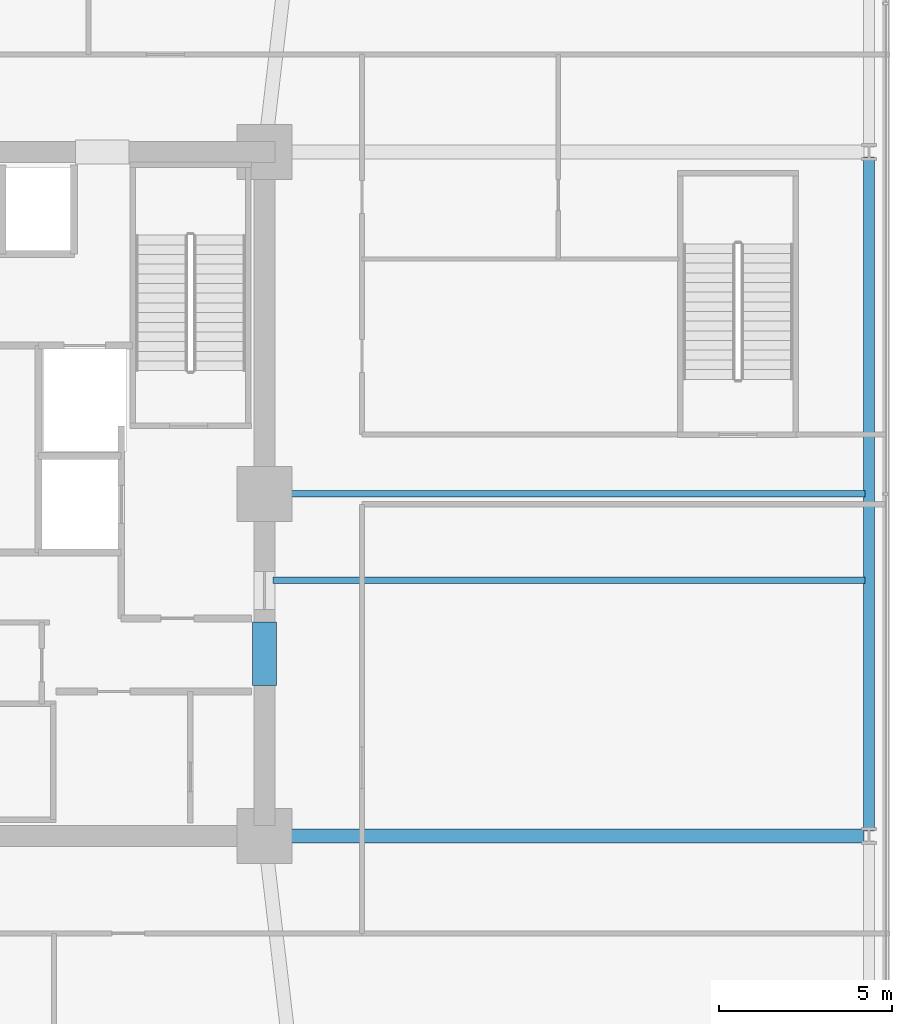
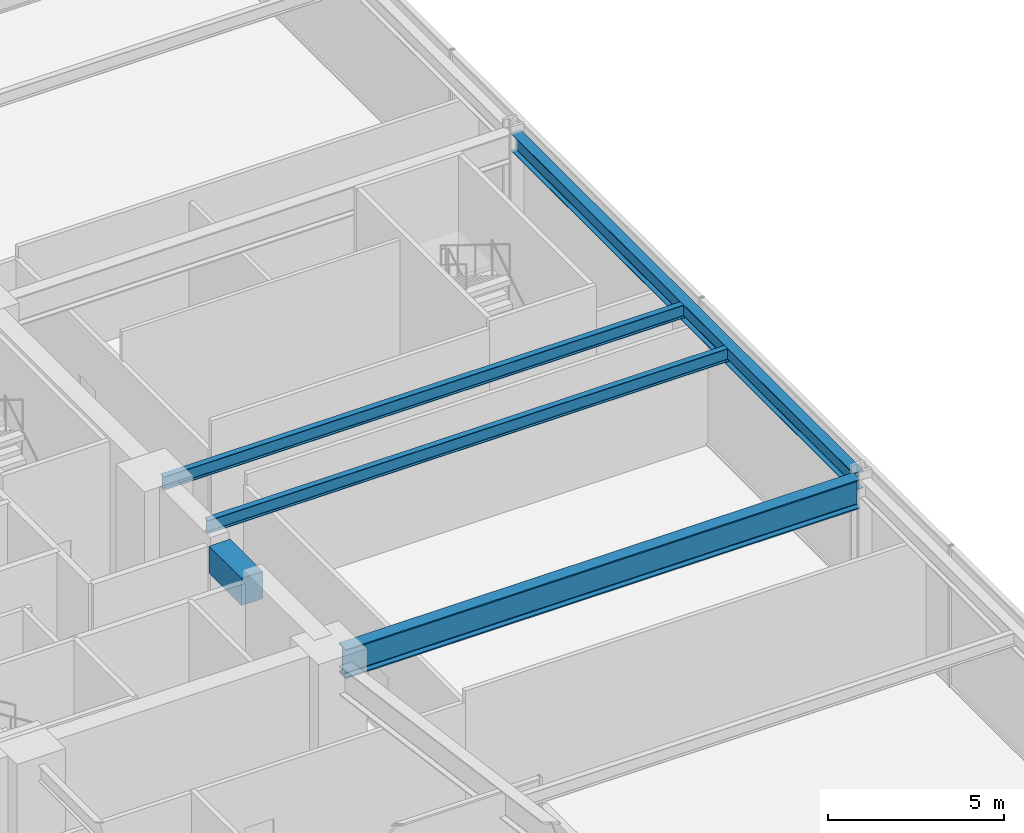
# One storey, part 25 of 49: 5 beams.
"""IFC4 building model written with IfcOpenShell, lengths in metres."""

from ifc_helpers import new_model, si_unit, direction, frame, origin, origin_2d, place, context, subcontext, project, spatial, rectangle, i_section, extrude, material, material_profile, profile_set, type_object, element, save


model = new_model("IFC4")

# Units and contexts
model_context = context("Model", 3, precision=1e-05, world=origin(), true_north=direction((0.0, 1.0)))
body_context = subcontext(model_context, "Body", "Model", "MODEL_VIEW")
ifc_project = project(units=[si_unit("LENGTHUNIT", "METRE"), si_unit("AREAUNIT", "SQUARE_METRE"), si_unit("VOLUMEUNIT", "CUBIC_METRE"), si_unit("PLANEANGLEUNIT", "RADIAN"), si_unit("MASSUNIT", "GRAM", prefix="KILO")], contexts=[model_context])

# Site, building, storey
site_placement = place(None, origin())
site = spatial("IfcSite", under=ifc_project, at=site_placement, CompositionType="ELEMENT")
building_placement = place(site_placement, origin())
building = spatial("IfcBuilding", under=site, at=building_placement, Name="Kolvaren Belvedere", CompositionType="ELEMENT")
storey_placement = place(building_placement, frame((0.0, 0.0, 10.0)))
storey = spatial("IfcBuildingStorey", under=building, at=storey_placement, Name="L03", CompositionType="ELEMENT", Elevation=10.0)

# Beams
ifc_material_1 = material(Name="Structural steel ASTM A992 Grade 50", Category="steel")
ifc_material_profile_1 = material_profile(ifc_material_1, i_section(OverallWidth=0.40087890625, OverallDepth=1.010986328125, WebThickness=0.023681640625, FlangeThickness=0.0419921875, FilletRadius=0.030029296875, at=origin_2d()), Name="W40X297")
ifc_profile_set_1 = profile_set([ifc_material_profile_1], Name="Structural steel ASTM A992 Grade 50")
beam_type_1 = type_object("IfcBeamType", Name="BM-BALL-W40X297", PredefinedType="BEAM", material=ifc_profile_set_1)
beam_1_placement = place(storey_placement, frame((10.35009765625, -9.89990234375, 4.41455078125), z_axis=(1.0, 0.0, 0.0), x_axis=(0.0, 1.0, 0.0)))
element("IfcBeam", 1, at=beam_1_placement, inside=storey, type_object=beam_type_1, Name="L03 East Interior Girder S", PredefinedType="BEAM", context=body_context, shape_type="SweptSolid", body=[
    extrude(i_section(OverallWidth=0.40087890625, OverallDepth=1.010986328125, WebThickness=0.023681640625, FlangeThickness=0.0419921875, FilletRadius=0.030029296875, at=origin_2d()), origin(), (0.0, 0.0, 1.0), 16.89990234375),
])
ifc_material_2 = material(Name="Structural steel ASTM A992 Grade 50", Category="steel")
ifc_material_profile_2 = material_profile(ifc_material_2, i_section(OverallWidth=0.19091796875, OverallDepth=0.4599609375, WebThickness=0.010009765625, FlangeThickness=0.01611328125, FilletRadius=0.014892578125, at=origin_2d()), Name="W18X55")
ifc_profile_set_2 = profile_set([ifc_material_profile_2], Name="Structural steel ASTM A992 Grade 50")
beam_type_2 = type_object("IfcBeamType", Name="BM-JOIST-W18X55", PredefinedType="BEAM", material=ifc_profile_set_2)
for number, where, z_axis, x_axis, name in (
    (2, (10.14990234375, -2.5, 4.68994140625), (1.0, 0.0, 0.0), (0.0, 1.0, 0.0), "L03 East Bay Floor Beam"),
    (3, (10.14990234375, 0.0, 4.68994140625), (1.0, 0.0, 0.0), (0.0, 1.0, 0.0), "L03 East Bay Floor Beam"),
):
    element("IfcBeam", number, at=place(storey_placement, frame(where, z_axis=z_axis, x_axis=x_axis)), inside=storey, type_object=beam_type_2, Name=name, PredefinedType="BEAM", context=body_context, shape_type="SweptSolid", body=[
        extrude(i_section(OverallWidth=0.19091796875, OverallDepth=0.4599609375, WebThickness=0.010009765625, FlangeThickness=0.01611328125, FilletRadius=0.014892578125, at=origin_2d()), origin(), (0.0, 0.0, 1.0), 17.130126953125),
    ])
ifc_material_3 = material(Name="Concrete C60/75", Category="concrete")
ifc_material_profile_3 = material_profile(ifc_material_3, rectangle(XDim=0.699951171875, YDim=0.949951171875, at=origin_2d()), Name="RC 700X950")
ifc_profile_set_3 = profile_set([ifc_material_profile_3], Name="Concrete C60/75")
beam_type_3 = type_object("IfcBeamType", Name="BM-LINT-950", PredefinedType="LINTEL", material=ifc_profile_set_3)
beam_2_placement = place(storey_placement, frame((9.89990234375, -5.550048828125, 4.445068359375), z_axis=(0.0, 1.0, 0.0), x_axis=(-1.0, 0.0, 0.0)))
element("IfcBeam", 4, at=beam_2_placement, inside=storey, type_object=beam_type_3, Name="L03 East Core Coupling Lintel", PredefinedType="LINTEL", context=body_context, shape_type="SweptSolid", body=[
    extrude(rectangle(XDim=0.699951171875, YDim=0.949951171875, at=origin_2d()), origin(), (0.0, 0.0, 1.0), 1.85009765625),
])
ifc_material_4 = material(Name="Structural steel ASTM A992 Grade 50", Category="steel")
ifc_material_profile_4 = material_profile(ifc_material_4, i_section(OverallWidth=0.324951171875, OverallDepth=0.615966796875, WebThickness=0.013916015625, FlangeThickness=0.021484375, FilletRadius=0.02001953125, at=origin_2d()), Name="W24X117")
ifc_profile_set_4 = profile_set([ifc_material_profile_4], Name="Structural steel ASTM A992 Grade 50")
beam_type_4 = type_object("IfcBeamType", Name="BM-SPAN-W24X117", PredefinedType="SPANDREL", material=ifc_profile_set_4)
beam_3_placement = place(storey_placement, frame((27.39990234375, -9.75, 4.612060546875), z_axis=(0.0, 1.0, 0.0), x_axis=(-1.0, 0.0, 0.0)))
element("IfcBeam", 5, at=beam_3_placement, inside=storey, type_object=beam_type_4, Name="L03 E Podium Spandrel 2", PredefinedType="SPANDREL", context=body_context, shape_type="SweptSolid", body=[
    extrude(i_section(OverallWidth=0.324951171875, OverallDepth=0.615966796875, WebThickness=0.013916015625, FlangeThickness=0.021484375, FilletRadius=0.02001953125, at=origin_2d()), origin(), (0.0, 0.0, 1.0), 19.5),
])

save(model, "model.ifc")
